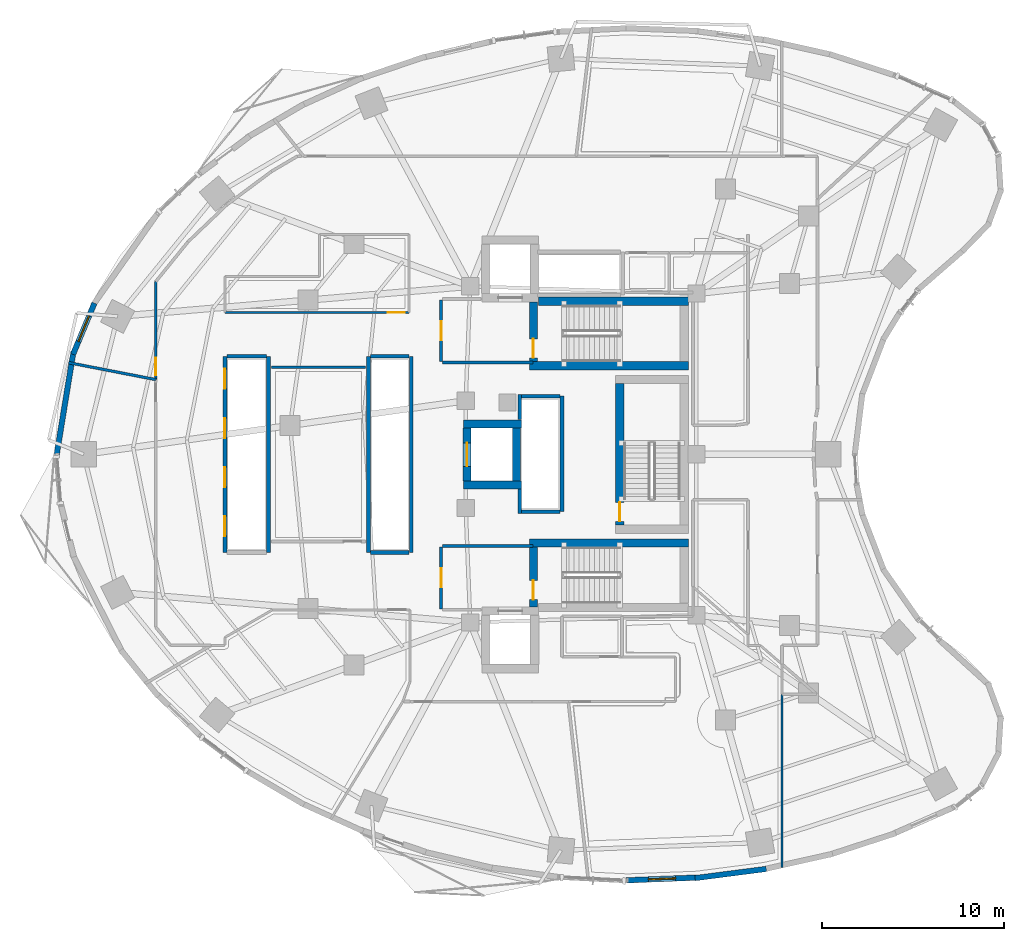
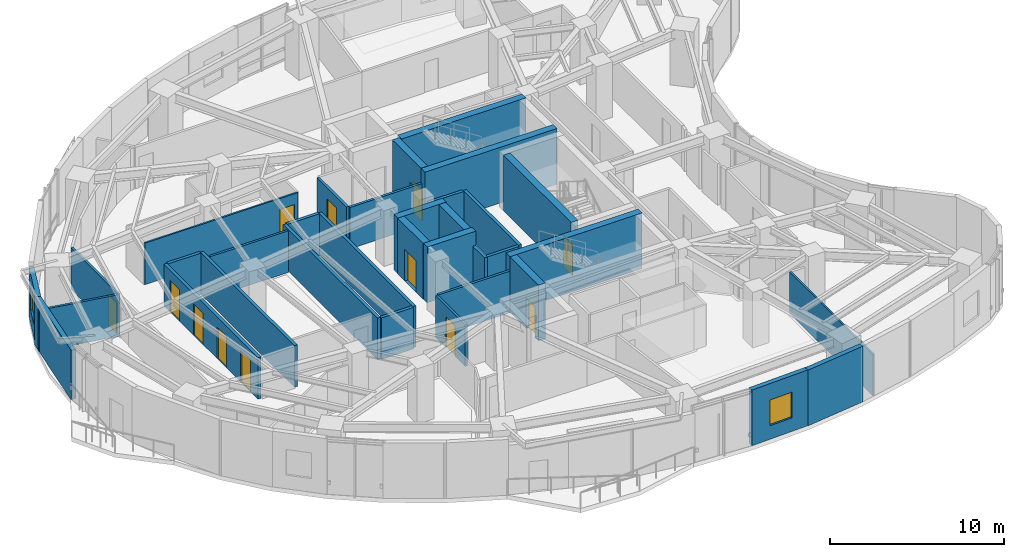
# One storey, part 9 of 15: 35 walls, 12 doors, 2 windows, 14 openings.
"""IFC4 building model written with IfcOpenShell, lengths in metres."""

from ifc_helpers import new_model, si_unit, direction, frame, frame_2d, origin, place, context, subcontext, project, spatial, rectangle, extrude, material, layer, layer_set, type_object, element, fill, save


model = new_model("IFC4")

# Units and contexts
model_context = context("Model", 3, precision=1e-05, world=origin(), true_north=direction((0.0, 1.0)))
body_context = subcontext(model_context, "Body", "Model", "MODEL_VIEW")
ifc_project = project(units=[si_unit("LENGTHUNIT", "METRE"), si_unit("AREAUNIT", "SQUARE_METRE"), si_unit("VOLUMEUNIT", "CUBIC_METRE"), si_unit("PLANEANGLEUNIT", "RADIAN"), si_unit("MASSUNIT", "GRAM", prefix="KILO")], contexts=[model_context])

# Site, building, storey
site_placement = place(None, origin())
site = spatial("IfcSite", under=ifc_project, at=site_placement, CompositionType="ELEMENT")
building_placement = place(site_placement, origin())
building = spatial("IfcBuilding", under=site, at=building_placement, Name="Korentha Bioscience Tower", CompositionType="ELEMENT")
storey_placement = place(building_placement, frame((0.0, 0.0, 72.0)))
storey = spatial("IfcBuildingStorey", under=building, at=storey_placement, Name="L16", CompositionType="ELEMENT", Elevation=72.0)

# Wall, opening, door
ifc_material_1 = material(Name="Double-Stud Acoustic Gypsum", Category="gypsum")
ifc_layer_1 = layer(ifc_material_1, 0.14990234375, Name="Double-Stud Acoustic Gypsum")
ifc_layer_set_1 = layer_set([ifc_layer_1], Name="Double-Stud Acoustic Gypsum (IW-L150)")
wall_type_1 = type_object("IfcWallType", Name="Acoustic Laboratory Partition Wall 150", PredefinedType="PARTITIONING", material=ifc_layer_set_1)
wall_1_placement = place(storey_placement, frame((7.7900390625, 36.501220703125, 0.0), z_axis=(0.0, 0.0, 1.0), x_axis=(0.0, -1.0, 0.0)))
wall_1 = element("IfcWall", 1, at=wall_1_placement, inside=storey, type_object=wall_type_1, Name="L16 Senior Scientist Corner Office 14 Entrance Wall", PredefinedType="PARTITIONING", context=body_context, shape_type="SweptSolid", body=[
    extrude(rectangle(XDim=5.37548828125, YDim=0.14990234375, at=frame_2d((2.687744140625, 0.0))), origin(), (0.0, 0.0, 1.0), 2.909912109375),
])
opening_1_placement = place(wall_1_placement, frame((4.185302734375, 0.0, 0.0)))
opening_1 = element("IfcOpeningElement", 2, at=opening_1_placement, cuts=wall_1, Name="Opening ID-10R", PredefinedType="OPENING", context=body_context, shape_type="SweptSolid", body=[
    extrude(rectangle(XDim=0.949951171875, YDim=2.14990234375, at=frame_2d((0.47509765625, 1.074951171875))), frame((0.0, 0.08984375, 0.0), z_axis=(0.0, -1.0, 0.0), x_axis=(1.0, 0.0, 0.0)), (0.0, 0.0, 1.0), 0.1796875),
])
ifc_material_2 = material(Name="Phenolic Laminate Timber Core", Category="wood")
door_type_1 = type_object("IfcDoorType", Name="Laboratory Single Leaf Door 950x2150 Right", OperationType="SINGLE_SWING_RIGHT", PredefinedType="DOOR", material=ifc_material_2)
door_1_placement = place(opening_1_placement, origin())
door_1 = element("IfcDoor", 3, at=door_1_placement, inside=storey, type_object=door_type_1, Name="L16 Senior Scientist Corner Office 14 Door", OperationType="SINGLE_SWING_RIGHT", OverallHeight=2.14990234375, OverallWidth=0.949951171875, PredefinedType="DOOR", context=body_context, shape_type="SweptSolid", body=[
    extrude(rectangle(XDim=0.949951171875, YDim=2.14990234375, at=frame_2d((0.47509765625, 1.074951171875))), frame((0.0, 0.02490234375, 0.0), z_axis=(0.0, -1.0, 0.0), x_axis=(1.0, 0.0, 0.0)), (0.0, 0.0, 1.0), 0.050048828125),
])
fill(opening_1, door_1)

# Walls
wall_2_placement = place(storey_placement, frame((14.159912109375, 31.7900390625, 0.0), z_axis=(0.0, 0.0, 1.0), x_axis=(1.0, 0.0, 0.0)))
element("IfcWall", 4, at=wall_2_placement, inside=storey, type_object=wall_type_1, Name="L16 Interior Partition 022", PredefinedType="PARTITIONING", context=body_context, shape_type="SweptSolid", body=[
    extrude(rectangle(XDim=5.18017578125, YDim=0.14990234375, at=frame_2d((2.590087890625, 0.0))), origin(), (0.0, 0.0, 1.0), 2.909912109375),
])
wall_3_placement = place(storey_placement, frame((2.9951171875, 32.047607421875, 0.0), z_axis=(0.0, 0.0, 1.0), x_axis=(0.981623712682, -0.190826850052, 0.0)))
element("IfcWall", 5, at=wall_3_placement, inside=storey, type_object=wall_type_1, Name="L16 Interior Partition 023", PredefinedType="PARTITIONING", context=body_context, shape_type="SweptSolid", body=[
    extrude(rectangle(XDim=4.884765625, YDim=0.14990234375, at=frame_2d((2.4423828125, 0.0))), origin(), (0.0, 0.0, 1.0), 2.909912109375),
])

# Wall, opening, door
ifc_material_3 = material(Name="Fire-Rated Framed Glass", Category="glass")
ifc_layer_2 = layer(ifc_material_3, 0.110107421875, Name="Fire-Rated Framed Glass")
ifc_layer_set_2 = layer_set([ifc_layer_2], Name="Fire-Rated Framed Glass (IW-G110)")
wall_type_2 = type_object("IfcWallType", Name="Demountable Glazed Office Partition 110", PredefinedType="MOVABLE", material=ifc_layer_set_2)
wall_4_placement = place(storey_placement, frame((21.739990234375, 34.81005859375, 0.0), z_axis=(0.0, 0.0, 1.0), x_axis=(-1.0, 0.0, 0.0)))
wall_4 = element("IfcWall", 6, at=wall_4_placement, inside=storey, type_object=wall_type_2, Name="L16 Epidemiology Modelling Studio 13 Entrance Wall", PredefinedType="MOVABLE", context=body_context, shape_type="SweptSolid", body=[
    extrude(rectangle(XDim=10.14990234375, YDim=0.110107421875, at=frame_2d((5.074951171875, 0.0))), origin(), (0.0, 0.0, 1.0), 2.909912109375),
])
opening_2_placement = place(wall_4_placement, frame((0.239990234375, 0.0, 0.0)))
opening_2 = element("IfcOpeningElement", 7, at=opening_2_placement, cuts=wall_4, Name="Opening ID-10L", PredefinedType="OPENING", context=body_context, shape_type="SweptSolid", body=[
    extrude(rectangle(XDim=0.949951171875, YDim=2.14990234375, at=frame_2d((0.47509765625, 1.074951171875))), frame((0.0, 0.06982421875, 0.0), z_axis=(0.0, -1.0, 0.0), x_axis=(1.0, 0.0, 0.0)), (0.0, 0.0, 1.0), 0.139892578125),
])
door_type_2 = type_object("IfcDoorType", Name="Laboratory Single Leaf Door 950x2150 Left", OperationType="SINGLE_SWING_LEFT", PredefinedType="DOOR", material=ifc_material_2)
door_2_placement = place(opening_2_placement, origin())
door_2 = element("IfcDoor", 8, at=door_2_placement, inside=storey, type_object=door_type_2, Name="L16 Epidemiology Modelling Studio 13 Door", OperationType="SINGLE_SWING_LEFT", OverallHeight=2.14990234375, OverallWidth=0.949951171875, PredefinedType="DOOR", context=body_context, shape_type="SweptSolid", body=[
    extrude(rectangle(XDim=0.949951171875, YDim=2.14990234375, at=frame_2d((0.47509765625, 1.074951171875))), frame((0.0, 0.02490234375, 0.0), z_axis=(0.0, -1.0, 0.0), x_axis=(1.0, 0.0, 0.0)), (0.0, 0.0, 1.0), 0.050048828125),
])
fill(opening_2, door_2)

# Wall
wall_5_placement = place(storey_placement, frame((42.248046875, 13.7978515625, 0.0), z_axis=(0.0, 0.0, 1.0), x_axis=(0.0, -1.0, 0.0)))
element("IfcWall", 9, at=wall_5_placement, inside=storey, type_object=wall_type_2, Name="L16 Interior Partition 041", PredefinedType="MOVABLE", context=body_context, shape_type="SweptSolid", body=[
    extrude(rectangle(XDim=9.530029296875, YDim=0.110107421875, at=frame_2d((4.76513671875, 0.0))), origin(), (0.0, 0.0, 1.0), 2.909912109375),
])

# Wall, opening, door
ifc_material_4 = material(Name="Gypsum-Clad Steel Stud", Category="steel")
ifc_layer_3 = layer(ifc_material_4, 0.159912109375, Name="Gypsum-Clad Steel Stud")
ifc_layer_set_3 = layer_set([ifc_layer_3], Name="Gypsum-Clad Steel Stud (IW-C160)")
wall_type_3 = type_object("IfcWallType", Name="Fire-Rated Corridor Partition Wall 160", PredefinedType="PARTITIONING", material=ifc_layer_set_3)
wall_6_placement = place(storey_placement, frame((23.5, 32.10009765625, 0.0), z_axis=(0.0, 0.0, 1.0), x_axis=(0.0, 1.0, 0.0)))
wall_6 = element("IfcWall", 10, at=wall_6_placement, inside=storey, type_object=wall_type_3, Name="L16 FFLN-CW Rated Enclosure Wall", PredefinedType="PARTITIONING", context=body_context, shape_type="SweptSolid", body=[
    extrude(rectangle(XDim=3.39990234375, YDim=0.159912109375, at=frame_2d((1.699951171875, 0.0))), origin(), (0.0, 0.0, 1.0), 2.909912109375),
])
opening_3_placement = place(wall_6_placement, frame((1.175048828125, 0.0, 0.0)))
opening_3 = element("IfcOpeningElement", 11, at=opening_3_placement, cuts=wall_6, Name="Opening FD-90L", PredefinedType="OPENING", context=body_context, shape_type="SweptSolid", body=[
    extrude(rectangle(XDim=1.050048828125, YDim=2.14990234375, at=frame_2d((0.52490234375, 1.074951171875))), frame((0.0, 0.0947265625, 0.0), z_axis=(0.0, -1.0, 0.0), x_axis=(1.0, 0.0, 0.0)), (0.0, 0.0, 1.0), 0.189697265625),
])
ifc_material_5 = material(Name="Powder-Coated Fire-Rated Steel", Category="steel")
door_type_3 = type_object("IfcDoorType", Name="Stairwell Fire Exit Door 1050x2150 Left", OperationType="SINGLE_SWING_LEFT", PredefinedType="DOOR", material=ifc_material_5)
door_3_placement = place(opening_3_placement, origin())
door_3 = element("IfcDoor", 12, at=door_3_placement, inside=storey, type_object=door_type_3, Name="L16 North Firefighting Lobby Door", OperationType="SINGLE_SWING_LEFT", OverallHeight=2.14990234375, OverallWidth=1.050048828125, PredefinedType="DOOR", context=body_context, shape_type="SweptSolid", body=[
    extrude(rectangle(XDim=1.050048828125, YDim=2.14990234375, at=frame_2d((0.52490234375, 1.074951171875))), frame((0.0, 0.02490234375, 0.0), z_axis=(0.0, -1.0, 0.0), x_axis=(1.0, 0.0, 0.0)), (0.0, 0.0, 1.0), 0.050048828125),
])
fill(opening_3, door_3)

wall_7_placement = place(storey_placement, frame((23.5, 18.5, 0.0), z_axis=(0.0, 0.0, 1.0), x_axis=(0.0, 1.0, 0.0)))
wall_7 = element("IfcWall", 13, at=wall_7_placement, inside=storey, type_object=wall_type_3, Name="L16 FFLS-CW Rated Enclosure Wall", PredefinedType="PARTITIONING", context=body_context, shape_type="SweptSolid", body=[
    extrude(rectangle(XDim=3.39990234375, YDim=0.159912109375, at=frame_2d((1.699951171875, 0.0))), origin(), (0.0, 0.0, 1.0), 2.909912109375),
])
opening_4_placement = place(wall_7_placement, frame((1.175048828125, 0.0, 0.0)))
opening_4 = element("IfcOpeningElement", 14, at=opening_4_placement, cuts=wall_7, Name="Opening FD-90L", PredefinedType="OPENING", context=body_context, shape_type="SweptSolid", body=[
    extrude(rectangle(XDim=1.050048828125, YDim=2.14990234375, at=frame_2d((0.52490234375, 1.074951171875))), frame((0.0, 0.0947265625, 0.0), z_axis=(0.0, -1.0, 0.0), x_axis=(1.0, 0.0, 0.0)), (0.0, 0.0, 1.0), 0.189697265625),
])
door_4_placement = place(opening_4_placement, origin())
door_4 = element("IfcDoor", 15, at=door_4_placement, inside=storey, type_object=door_type_3, Name="L16 South Firefighting Lobby Door", OperationType="SINGLE_SWING_LEFT", OverallHeight=2.14990234375, OverallWidth=1.050048828125, PredefinedType="DOOR", context=body_context, shape_type="SweptSolid", body=[
    extrude(rectangle(XDim=1.050048828125, YDim=2.14990234375, at=frame_2d((0.52490234375, 1.074951171875))), frame((0.0, 0.02490234375, 0.0), z_axis=(0.0, -1.0, 0.0), x_axis=(1.0, 0.0, 0.0)), (0.0, 0.0, 1.0), 0.050048828125),
])
fill(opening_4, door_4)

# Walls
for number, where, z_axis, x_axis, name in (
    (16, (23.580078125, 32.050048828125, 0.0), (0.0, 0.0, 1.0), (1.0, 0.0, 0.0), "L16 Firefighting Lobby Return Wall FFLN-S"),
    (17, (23.580078125, 21.949951171875, 0.0), (0.0, 0.0, 1.0), (1.0, 0.0, 0.0), "L16 Firefighting Lobby Return Wall FFLS-N"),
):
    element("IfcWall", number, at=place(storey_placement, frame(where, z_axis=z_axis, x_axis=x_axis)), inside=storey, type_object=wall_type_3, Name=name, PredefinedType="PARTITIONING", context=body_context, shape_type="SweptSolid", body=[
        extrude(rectangle(XDim=4.969970703125, YDim=0.159912109375, at=frame_2d((2.48486328125, 0.0))), origin(), (0.0, 0.0, 1.0), 2.909912109375),
    ])

# Wall, opening, window
ifc_material_6 = material(Name="Honed Limestone Precast Concrete C40", Category="masonry")
ifc_layer_4 = layer(ifc_material_6, 0.300048828125, Name="Honed Limestone Precast Concrete C40")
ifc_layer_set_4 = layer_set([ifc_layer_4], Name="Honed Limestone Precast Concrete C40 (EW-ST300)")
wall_type_4 = type_object("IfcWallType", Name="Honed Limestone Cavity Spandrel Wall 300", PredefinedType="STANDARD", material=ifc_layer_set_4)
wall_8_placement = place(storey_placement, frame((4.4169921875, 35.322998046875, 0.0), z_axis=(0.0, 0.0, 1.0), x_axis=(-0.385358473275, -0.92276695166, 0.0)))
wall_8 = element("IfcWall", 18, at=wall_8_placement, inside=storey, type_object=wall_type_4, Name="L16 Honed Limestone Spandrel Wall 16", PredefinedType="STANDARD", context=body_context, shape_type="SweptSolid", body=[
    extrude(rectangle(XDim=3.0556640625, YDim=0.300048828125, at=frame_2d((1.52783203125, 0.0))), origin(), (0.0, 0.0, 1.0), 3.469970703125),
])
opening_5_placement = place(wall_8_placement, frame((0.777587890625, 0.0, 0.949951171875)))
opening_5 = element("IfcOpeningElement", 19, at=opening_5_placement, cuts=wall_8, Name="Opening WN-02", PredefinedType="OPENING", context=body_context, shape_type="SweptSolid", body=[
    extrude(rectangle(XDim=1.5, YDim=1.800048828125, at=frame_2d((0.75, 0.89990234375))), frame((0.0, 0.1650390625, 0.0), z_axis=(0.0, -1.0, 0.0), x_axis=(1.0, 0.0, 0.0)), (0.0, 0.0, 1.0), 0.329833984375),
])
ifc_material_7 = material(Name="Thermally Broken Aluminium Triple Glazing", Category="aluminium")
window_type = type_object("IfcWindowType", Name="Acoustic Operable Office Window 1500x1800", PartitioningType="DOUBLE_PANEL_VERTICAL", PredefinedType="WINDOW", material=ifc_material_7)
window_1_placement = place(opening_5_placement, origin())
window_1 = element("IfcWindow", 20, at=window_1_placement, inside=storey, type_object=window_type, Name="L16 Facade Window 16", OverallHeight=1.800048828125, OverallWidth=1.5, PartitioningType="DOUBLE_PANEL_VERTICAL", PredefinedType="WINDOW", context=body_context, shape_type="SweptSolid", body=[
    extrude(rectangle(XDim=1.5, YDim=1.800048828125, at=frame_2d((0.75, 0.89990234375))), frame((0.0, 0.030029296875, 0.0), z_axis=(0.0, -1.0, 0.0), x_axis=(1.0, 0.0, 0.0)), (0.0, 0.0, 1.0), 0.06005859375),
])
fill(opening_5, window_1)

wall_9_placement = place(storey_placement, frame((33.68701171875, 3.558349609375, 0.0), z_axis=(0.0, 0.0, 1.0), x_axis=(0.999247008469, 0.038799691558, 0.0)))
wall_9 = element("IfcWall", 21, at=wall_9_placement, inside=storey, type_object=wall_type_4, Name="L16 Honed Limestone Spandrel Wall 32", PredefinedType="STANDARD", context=body_context, shape_type="SweptSolid", body=[
    extrude(rectangle(XDim=3.93896484375, YDim=0.300048828125, at=frame_2d((1.969482421875, 0.0))), origin(), (0.0, 0.0, 1.0), 3.89990234375),
])
opening_6_placement = place(wall_9_placement, frame((1.219482421875, 0.0, 0.949951171875)))
opening_6 = element("IfcOpeningElement", 22, at=opening_6_placement, cuts=wall_9, Name="Opening WN-02", PredefinedType="OPENING", context=body_context, shape_type="SweptSolid", body=[
    extrude(rectangle(XDim=1.5, YDim=1.800048828125, at=frame_2d((0.75, 0.89990234375))), frame((0.0, 0.1650390625, 0.0), z_axis=(0.0, -1.0, 0.0), x_axis=(1.0, 0.0, 0.0)), (0.0, 0.0, 1.0), 0.329833984375),
])
window_2_placement = place(opening_6_placement, origin())
window_2 = element("IfcWindow", 23, at=window_2_placement, inside=storey, type_object=window_type, Name="L16 Facade Window 32", OverallHeight=1.800048828125, OverallWidth=1.5, PartitioningType="DOUBLE_PANEL_VERTICAL", PredefinedType="WINDOW", context=body_context, shape_type="SweptSolid", body=[
    extrude(rectangle(XDim=1.5, YDim=1.800048828125, at=frame_2d((0.75, 0.89990234375))), frame((0.0, 0.030029296875, 0.0), z_axis=(0.0, -1.0, 0.0), x_axis=(1.0, 0.0, 0.0)), (0.0, 0.0, 1.0), 0.06005859375),
])
fill(opening_6, window_2)

# Walls
wall_10_placement = place(storey_placement, frame((3.26611328125, 32.677001953125, 0.0), z_axis=(0.0, 0.0, 1.0), x_axis=(-0.160712446639, -0.987001271273, 0.0)))
element("IfcWall", 24, at=wall_10_placement, inside=storey, type_object=wall_type_4, Name="L16 Limestone Perimeter Closure Wall 17", PredefinedType="STANDARD", context=body_context, shape_type="SweptSolid", body=[
    extrude(rectangle(XDim=5.854736328125, YDim=0.300048828125, at=frame_2d((2.92724609375, 0.0))), origin(), (0.0, 0.0, 1.0), 3.469970703125),
])
wall_11_placement = place(storey_placement, frame((37.471923828125, 3.677734375, 0.0), z_axis=(0.0, 0.0, 1.0), x_axis=(0.991734095036, 0.128310111617, 0.0)))
element("IfcWall", 25, at=wall_11_placement, inside=storey, type_object=wall_type_4, Name="L16 Limestone Perimeter Closure Wall 33", PredefinedType="STANDARD", context=body_context, shape_type="SweptSolid", body=[
    extrude(rectangle(XDim=3.955810546875, YDim=0.300048828125, at=frame_2d((1.97802734375, 0.0))), origin(), (0.0, 0.0, 1.0), 3.89990234375),
])

# Wall, openings, doors
ifc_material_8 = material(Name="Autoclaved Aerated Concrete Block C25", Category="concrete")
ifc_layer_5 = layer(ifc_material_8, 0.199951171875, Name="Autoclaved Aerated Concrete Block C25")
ifc_layer_set_5 = layer_set([ifc_layer_5], Name="Autoclaved Aerated Concrete Block C25 (IW-S200)")
wall_type_5 = type_object("IfcWallType", Name="Lift and Riser Shaft Enclosure Wall 200", PredefinedType="PARTITIONING", material=ifc_layer_set_5)
wall_12_placement = place(storey_placement, frame((11.60009765625, 21.60009765625, 0.0), z_axis=(0.0, 0.0, 1.0), x_axis=(0.0, 1.0, 0.0)))
wall_12 = element("IfcWall", 26, at=wall_12_placement, inside=storey, type_object=wall_type_5, Name="L16 Lift Bank LOW Shaft Wall -X", PredefinedType="PARTITIONING", context=body_context, shape_type="SweptSolid", body=[
    extrude(rectangle(XDim=10.7998046875, YDim=0.199951171875, at=frame_2d((5.39990234375, 0.0))), origin(), (0.0, 0.0, 1.0), 2.909912109375),
])
opening_7_placement = place(wall_12_placement, frame((0.89990234375, 0.0, 0.0)))
opening_7 = element("IfcOpeningElement", 27, at=opening_7_placement, cuts=wall_12, Name="Opening LD-11", PredefinedType="OPENING", context=body_context, shape_type="SweptSolid", body=[
    extrude(rectangle(XDim=1.10009765625, YDim=2.199951171875, at=frame_2d((0.550048828125, 1.10009765625))), frame((0.0, 0.11474609375, 0.0), z_axis=(0.0, -1.0, 0.0), x_axis=(1.0, 0.0, 0.0)), (0.0, 0.0, 1.0), 0.229736328125),
])
opening_8_placement = place(wall_12_placement, frame((3.60009765625, 0.0, 0.0)))
opening_8 = element("IfcOpeningElement", 28, at=opening_8_placement, cuts=wall_12, Name="Opening LD-11", PredefinedType="OPENING", context=body_context, shape_type="SweptSolid", body=[
    extrude(rectangle(XDim=1.10009765625, YDim=2.199951171875, at=frame_2d((0.550048828125, 1.10009765625))), frame((0.0, 0.11474609375, 0.0), z_axis=(0.0, -1.0, 0.0), x_axis=(1.0, 0.0, 0.0)), (0.0, 0.0, 1.0), 0.229736328125),
])
opening_9_placement = place(wall_12_placement, frame((6.300048828125, 0.0, 0.0)))
opening_9 = element("IfcOpeningElement", 29, at=opening_9_placement, cuts=wall_12, Name="Opening LD-11", PredefinedType="OPENING", context=body_context, shape_type="SweptSolid", body=[
    extrude(rectangle(XDim=1.10009765625, YDim=2.199951171875, at=frame_2d((0.550048828125, 1.10009765625))), frame((0.0, 0.11474609375, 0.0), z_axis=(0.0, -1.0, 0.0), x_axis=(1.0, 0.0, 0.0)), (0.0, 0.0, 1.0), 0.229736328125),
])
opening_10_placement = place(wall_12_placement, frame((9.0, 0.0, 0.0)))
opening_10 = element("IfcOpeningElement", 30, at=opening_10_placement, cuts=wall_12, Name="Opening LD-11", PredefinedType="OPENING", context=body_context, shape_type="SweptSolid", body=[
    extrude(rectangle(XDim=1.10009765625, YDim=2.199951171875, at=frame_2d((0.550048828125, 1.10009765625))), frame((0.0, 0.11474609375, 0.0), z_axis=(0.0, -1.0, 0.0), x_axis=(1.0, 0.0, 0.0)), (0.0, 0.0, 1.0), 0.229736328125),
])
ifc_material_9 = material(Name="Brushed Stainless Steel 304", Category="steel")
door_type_4 = type_object("IfcDoorType", Name="Passenger Lift Sliding Landing Door 1100x2200", OperationType="DOUBLE_DOOR_SLIDING", PredefinedType="DOOR", material=ifc_material_9)
door_5_placement = place(opening_7_placement, origin())
door_5 = element("IfcDoor", 31, at=door_5_placement, inside=storey, type_object=door_type_4, Name="L16 PL-L1 Sliding Lift Landing Door", OperationType="DOUBLE_DOOR_SLIDING", OverallHeight=2.199951171875, OverallWidth=1.10009765625, PredefinedType="DOOR", context=body_context, shape_type="SweptSolid", body=[
    extrude(rectangle(XDim=1.10009765625, YDim=2.199951171875, at=frame_2d((0.550048828125, 1.10009765625))), frame((0.0, 0.02490234375, 0.0), z_axis=(0.0, -1.0, 0.0), x_axis=(1.0, 0.0, 0.0)), (0.0, 0.0, 1.0), 0.050048828125),
])
fill(opening_7, door_5)
door_6_placement = place(opening_8_placement, origin())
door_6 = element("IfcDoor", 32, at=door_6_placement, inside=storey, type_object=door_type_4, Name="L16 PL-L2 Sliding Lift Landing Door", OperationType="DOUBLE_DOOR_SLIDING", OverallHeight=2.199951171875, OverallWidth=1.10009765625, PredefinedType="DOOR", context=body_context, shape_type="SweptSolid", body=[
    extrude(rectangle(XDim=1.10009765625, YDim=2.199951171875, at=frame_2d((0.550048828125, 1.10009765625))), frame((0.0, 0.02490234375, 0.0), z_axis=(0.0, -1.0, 0.0), x_axis=(1.0, 0.0, 0.0)), (0.0, 0.0, 1.0), 0.050048828125),
])
fill(opening_8, door_6)
door_7_placement = place(opening_9_placement, origin())
door_7 = element("IfcDoor", 33, at=door_7_placement, inside=storey, type_object=door_type_4, Name="L16 PL-L3 Sliding Lift Landing Door", OperationType="DOUBLE_DOOR_SLIDING", OverallHeight=2.199951171875, OverallWidth=1.10009765625, PredefinedType="DOOR", context=body_context, shape_type="SweptSolid", body=[
    extrude(rectangle(XDim=1.10009765625, YDim=2.199951171875, at=frame_2d((0.550048828125, 1.10009765625))), frame((0.0, 0.02490234375, 0.0), z_axis=(0.0, -1.0, 0.0), x_axis=(1.0, 0.0, 0.0)), (0.0, 0.0, 1.0), 0.050048828125),
])
fill(opening_9, door_7)
door_8_placement = place(opening_10_placement, origin())
door_8 = element("IfcDoor", 34, at=door_8_placement, inside=storey, type_object=door_type_4, Name="L16 PL-L4 Sliding Lift Landing Door", OperationType="DOUBLE_DOOR_SLIDING", OverallHeight=2.199951171875, OverallWidth=1.10009765625, PredefinedType="DOOR", context=body_context, shape_type="SweptSolid", body=[
    extrude(rectangle(XDim=1.10009765625, YDim=2.199951171875, at=frame_2d((0.550048828125, 1.10009765625))), frame((0.0, 0.02490234375, 0.0), z_axis=(0.0, -1.0, 0.0), x_axis=(1.0, 0.0, 0.0)), (0.0, 0.0, 1.0), 0.050048828125),
])
fill(opening_10, door_8)

# Walls
wall_13_placement = place(storey_placement, frame((14.0, 21.60009765625, 0.0), z_axis=(0.0, 0.0, 1.0), x_axis=(0.0, 1.0, 0.0)))
element("IfcWall", 35, at=wall_13_placement, inside=storey, type_object=wall_type_5, Name="L16 Lift Bank LOW Shaft Wall +X", PredefinedType="PARTITIONING", context=body_context, shape_type="SweptSolid", body=[
    extrude(rectangle(XDim=10.7998046875, YDim=0.199951171875, at=frame_2d((5.39990234375, 0.0))), origin(), (0.0, 0.0, 1.0), 2.909912109375),
])
wall_14_placement = place(storey_placement, frame((11.719970703125, 32.39990234375, 0.0), z_axis=(0.0, 0.0, 1.0), x_axis=(1.0, 0.0, 0.0)))
element("IfcWall", 36, at=wall_14_placement, inside=storey, type_object=wall_type_5, Name="L16 Lift Bank LOW Shaft Wall +Y", PredefinedType="PARTITIONING", context=body_context, shape_type="SweptSolid", body=[
    extrude(rectangle(XDim=2.159912109375, YDim=0.199951171875, at=frame_2d((1.080078125, 0.0))), origin(), (0.0, 0.0, 1.0), 2.909912109375),
])
for number, where, z_axis, x_axis, name in (
    (37, (19.5, 21.60009765625, 0.0), (0.0, 0.0, 1.0), (0.0, 1.0, 0.0), "L16 Lift Bank MID Shaft Wall -X"),
    (38, (21.85009765625, 21.60009765625, 0.0), (0.0, 0.0, 1.0), (0.0, 1.0, 0.0), "L16 Lift Bank MID Shaft Wall +X"),
):
    element("IfcWall", number, at=place(storey_placement, frame(where, z_axis=z_axis, x_axis=x_axis)), inside=storey, type_object=wall_type_5, Name=name, PredefinedType="PARTITIONING", context=body_context, shape_type="SweptSolid", body=[
        extrude(rectangle(XDim=10.7998046875, YDim=0.199951171875, at=frame_2d((5.39990234375, 0.0))), origin(), (0.0, 0.0, 1.0), 2.909912109375),
    ])
for number, where, z_axis, x_axis, name in (
    (39, (19.6201171875, 21.60009765625, 0.0), (0.0, 0.0, 1.0), (1.0, 0.0, 0.0), "L16 Lift Bank MID Shaft Wall -Y"),
    (40, (19.6201171875, 32.39990234375, 0.0), (0.0, 0.0, 1.0), (1.0, 0.0, 0.0), "L16 Lift Bank MID Shaft Wall +Y"),
):
    element("IfcWall", number, at=place(storey_placement, frame(where, z_axis=z_axis, x_axis=x_axis)), inside=storey, type_object=wall_type_5, Name=name, PredefinedType="PARTITIONING", context=body_context, shape_type="SweptSolid", body=[
        extrude(rectangle(XDim=2.10986328125, YDim=0.199951171875, at=frame_2d((1.054931640625, 0.0))), origin(), (0.0, 0.0, 1.0), 2.909912109375),
    ])
wall_15_placement = place(storey_placement, frame((27.830078125, 23.75, 0.0), z_axis=(0.0, 0.0, 1.0), x_axis=(0.0, 1.0, 0.0)))
element("IfcWall", 41, at=wall_15_placement, inside=storey, type_object=wall_type_5, Name="L16 Lift Bank HIGH Shaft Wall -XS", PredefinedType="PARTITIONING", context=body_context, shape_type="SweptSolid", body=[
    extrude(rectangle(XDim=1.341064453125, YDim=0.199951171875, at=frame_2d((0.67041015625, 0.0))), origin(), (0.0, 0.0, 1.0), 2.909912109375),
])
wall_16_placement = place(storey_placement, frame((27.830078125, 28.908935546875, 0.0), z_axis=(0.0, 0.0, 1.0), x_axis=(0.0, 1.0, 0.0)))
element("IfcWall", 42, at=wall_16_placement, inside=storey, type_object=wall_type_5, Name="L16 Lift Bank HIGH Shaft Wall -XN", PredefinedType="PARTITIONING", context=body_context, shape_type="SweptSolid", body=[
    extrude(rectangle(XDim=1.39111328125, YDim=0.199951171875, at=frame_2d((0.695556640625, 0.0))), origin(), (0.0, 0.0, 1.0), 2.909912109375),
])
wall_17_placement = place(storey_placement, frame((30.14990234375, 23.85009765625, 0.0), z_axis=(0.0, 0.0, 1.0), x_axis=(0.0, 1.0, 0.0)))
element("IfcWall", 43, at=wall_17_placement, inside=storey, type_object=wall_type_5, Name="L16 Lift Bank HIGH Shaft Wall +X", PredefinedType="PARTITIONING", context=body_context, shape_type="SweptSolid", body=[
    extrude(rectangle(XDim=6.349853515625, YDim=0.199951171875, at=frame_2d((3.1748046875, 0.0))), origin(), (0.0, 0.0, 1.0), 2.909912109375),
])
for number, where, z_axis, x_axis, name in (
    (44, (27.93408203125, 23.85009765625, 0.0), (0.0, 0.0, 1.0), (1.0, 0.0, 0.0), "L16 Lift Bank HIGH Shaft Wall -Y"),
    (45, (27.93408203125, 30.199951171875, 0.0), (0.0, 0.0, 1.0), (1.0, 0.0, 0.0), "L16 Lift Bank HIGH Shaft Wall +Y"),
):
    element("IfcWall", number, at=place(storey_placement, frame(where, z_axis=z_axis, x_axis=x_axis)), inside=storey, type_object=wall_type_5, Name=name, PredefinedType="PARTITIONING", context=body_context, shape_type="SweptSolid", body=[
        extrude(rectangle(XDim=2.095947265625, YDim=0.199951171875, at=frame_2d((1.0478515625, 0.0))), origin(), (0.0, 0.0, 1.0), 2.909912109375),
    ])
ifc_material_10 = material(Name="Concrete C80", Category="concrete")
ifc_layer_6 = layer(ifc_material_10, 0.449951171875, Name="Concrete C80")
ifc_layer_set_6 = layer_set([ifc_layer_6], Name="Concrete C80 (CW-C80)")
wall_type_6 = type_object("IfcWallType", Name="Lower Core Shear Wall 450", PredefinedType="SHEAR", material=ifc_layer_set_6)
wall_18_placement = place(storey_placement, frame((28.85205078125, 35.425048828125, 0.0), z_axis=(0.0, 0.0, 1.0), x_axis=(1.0, 0.0, 0.0)))
element("IfcWall", 46, at=wall_18_placement, inside=storey, type_object=wall_type_6, Name="L16 Core Shear Wall ST1-N", PredefinedType="SHEAR", context=body_context, shape_type="SweptSolid", body=[
    extrude(rectangle(XDim=8.248046875, YDim=0.449951171875, at=frame_2d((4.1240234375, 0.0))), origin(), (0.0, 0.0, 1.0), 3.89990234375),
])
wall_19_placement = place(storey_placement, frame((28.35009765625, 31.875, 0.0), z_axis=(0.0, 0.0, 1.0), x_axis=(1.0, 0.0, 0.0)))
element("IfcWall", 47, at=wall_19_placement, inside=storey, type_object=wall_type_6, Name="L16 Core Shear Wall ST1-S", PredefinedType="SHEAR", context=body_context, shape_type="SweptSolid", body=[
    extrude(rectangle(XDim=8.75, YDim=0.449951171875, at=frame_2d((4.375, 0.0))), origin(), (0.0, 0.0, 1.0), 3.89990234375),
])

# Wall, opening, door
wall_20_placement = place(storey_placement, frame((28.574951171875, 32.110107421875, 0.0), z_axis=(0.0, 0.0, 1.0), x_axis=(0.0, 1.0, 0.0)))
wall_20 = element("IfcWall", 48, at=wall_20_placement, inside=storey, type_object=wall_type_6, Name="L16 Core Shear Wall ST1-W", PredefinedType="SHEAR", context=body_context, shape_type="SweptSolid", body=[
    extrude(rectangle(XDim=3.282958984375, YDim=0.449951171875, at=frame_2d((1.6416015625, 0.0))), origin(), (0.0, 0.0, 1.0), 3.89990234375),
])
opening_11_placement = place(wall_20_placement, frame((0.199951171875, 0.0, 0.0)))
opening_11 = element("IfcOpeningElement", 49, at=opening_11_placement, cuts=wall_20, Name="Opening FD-90L", PredefinedType="OPENING", context=body_context, shape_type="SweptSolid", body=[
    extrude(rectangle(XDim=1.050048828125, YDim=2.14990234375, at=frame_2d((0.52490234375, 1.074951171875))), frame((0.0, 0.23974609375, 0.0), z_axis=(0.0, -1.0, 0.0), x_axis=(1.0, 0.0, 0.0)), (0.0, 0.0, 1.0), 0.479736328125),
])
door_9_placement = place(opening_11_placement, origin())
door_9 = element("IfcDoor", 50, at=door_9_placement, inside=storey, type_object=door_type_3, Name="L16 ST-1 Fire Exit Stair Door", OperationType="SINGLE_SWING_LEFT", OverallHeight=2.14990234375, OverallWidth=1.050048828125, PredefinedType="DOOR", context=body_context, shape_type="SweptSolid", body=[
    extrude(rectangle(XDim=1.050048828125, YDim=2.14990234375, at=frame_2d((0.52490234375, 1.074951171875))), frame((0.0, 0.02490234375, 0.0), z_axis=(0.0, -1.0, 0.0), x_axis=(1.0, 0.0, 0.0)), (0.0, 0.0, 1.0), 0.050048828125),
])
fill(opening_11, door_9)

# Wall
wall_21_placement = place(storey_placement, frame((28.35009765625, 22.125, 0.0), z_axis=(0.0, 0.0, 1.0), x_axis=(1.0, 0.0, 0.0)))
element("IfcWall", 51, at=wall_21_placement, inside=storey, type_object=wall_type_6, Name="L16 Core Shear Wall ST2-N", PredefinedType="SHEAR", context=body_context, shape_type="SweptSolid", body=[
    extrude(rectangle(XDim=8.75, YDim=0.449951171875, at=frame_2d((4.375, 0.0))), origin(), (0.0, 0.0, 1.0), 3.89990234375),
])

# Wall, opening, door
wall_22_placement = place(storey_placement, frame((28.574951171875, 18.60693359375, 0.0), z_axis=(0.0, 0.0, 1.0), x_axis=(0.0, 1.0, 0.0)))
wall_22 = element("IfcWall", 52, at=wall_22_placement, inside=storey, type_object=wall_type_6, Name="L16 Core Shear Wall ST2-W", PredefinedType="SHEAR", context=body_context, shape_type="SweptSolid", body=[
    extrude(rectangle(XDim=3.282958984375, YDim=0.449951171875, at=frame_2d((1.6416015625, 0.0))), origin(), (0.0, 0.0, 1.0), 3.89990234375),
])
opening_12_placement = place(wall_22_placement, frame((0.403076171875, 0.0, 0.0)))
opening_12 = element("IfcOpeningElement", 53, at=opening_12_placement, cuts=wall_22, Name="Opening FD-90L", PredefinedType="OPENING", context=body_context, shape_type="SweptSolid", body=[
    extrude(rectangle(XDim=1.050048828125, YDim=2.14990234375, at=frame_2d((0.52490234375, 1.074951171875))), frame((0.0, 0.23974609375, 0.0), z_axis=(0.0, -1.0, 0.0), x_axis=(1.0, 0.0, 0.0)), (0.0, 0.0, 1.0), 0.479736328125),
])
door_10_placement = place(opening_12_placement, origin())
door_10 = element("IfcDoor", 54, at=door_10_placement, inside=storey, type_object=door_type_3, Name="L16 ST-2 Fire Exit Stair Door", OperationType="SINGLE_SWING_LEFT", OverallHeight=2.14990234375, OverallWidth=1.050048828125, PredefinedType="DOOR", context=body_context, shape_type="SweptSolid", body=[
    extrude(rectangle(XDim=1.050048828125, YDim=2.14990234375, at=frame_2d((0.52490234375, 1.074951171875))), frame((0.0, 0.02490234375, 0.0), z_axis=(0.0, -1.0, 0.0), x_axis=(1.0, 0.0, 0.0)), (0.0, 0.0, 1.0), 0.050048828125),
])
fill(opening_12, door_10)

wall_23_placement = place(storey_placement, frame((33.324951171875, 23.110107421875, 0.0), z_axis=(0.0, 0.0, 1.0), x_axis=(0.0, 1.0, 0.0)))
wall_23 = element("IfcWall", 55, at=wall_23_placement, inside=storey, type_object=wall_type_6, Name="L16 Core Shear Wall ST3-W", PredefinedType="SHEAR", context=body_context, shape_type="SweptSolid", body=[
    extrude(rectangle(XDim=7.77978515625, YDim=0.449951171875, at=frame_2d((3.889892578125, 0.0))), origin(), (0.0, 0.0, 1.0), 3.89990234375),
])
opening_13_placement = place(wall_23_placement, frame((0.199951171875, 0.0, 0.0)))
opening_13 = element("IfcOpeningElement", 56, at=opening_13_placement, cuts=wall_23, Name="Opening FD-90L", PredefinedType="OPENING", context=body_context, shape_type="SweptSolid", body=[
    extrude(rectangle(XDim=1.050048828125, YDim=2.14990234375, at=frame_2d((0.52490234375, 1.074951171875))), frame((0.0, 0.23974609375, 0.0), z_axis=(0.0, -1.0, 0.0), x_axis=(1.0, 0.0, 0.0)), (0.0, 0.0, 1.0), 0.479736328125),
])
door_11_placement = place(opening_13_placement, origin())
door_11 = element("IfcDoor", 57, at=door_11_placement, inside=storey, type_object=door_type_3, Name="L16 ST-3 Fire Exit Stair Door", OperationType="SINGLE_SWING_LEFT", OverallHeight=2.14990234375, OverallWidth=1.050048828125, PredefinedType="DOOR", context=body_context, shape_type="SweptSolid", body=[
    extrude(rectangle(XDim=1.050048828125, YDim=2.14990234375, at=frame_2d((0.52490234375, 1.074951171875))), frame((0.0, 0.02490234375, 0.0), z_axis=(0.0, -1.0, 0.0), x_axis=(1.0, 0.0, 0.0)), (0.0, 0.0, 1.0), 0.050048828125),
])
fill(opening_13, door_11)

# Walls
for number, where, z_axis, x_axis, name in (
    (58, (24.719970703125, 28.679931640625, 0.0), (0.0, 0.0, 1.0), (1.0, 0.0, 0.0), "L16 Core Shear Wall SVL1-N"),
    (59, (24.719970703125, 25.320068359375, 0.0), (0.0, 0.0, 1.0), (1.0, 0.0, 0.0), "L16 Core Shear Wall SVL1-S"),
):
    element("IfcWall", number, at=place(storey_placement, frame(where, z_axis=z_axis, x_axis=x_axis)), inside=storey, type_object=wall_type_6, Name=name, PredefinedType="SHEAR", context=body_context, shape_type="SweptSolid", body=[
        extrude(rectangle(XDim=3.2099609375, YDim=0.449951171875, at=frame_2d((1.60498046875, 0.0))), origin(), (0.0, 0.0, 1.0), 3.89990234375),
    ])

# Wall, opening, door
wall_24_placement = place(storey_placement, frame((24.919921875, 25.547119140625, 0.0), z_axis=(0.0, 0.0, 1.0), x_axis=(0.0, 1.0, 0.0)))
wall_24 = element("IfcWall", 60, at=wall_24_placement, inside=storey, type_object=wall_type_6, Name="L16 Core Shear Wall SVL1-W", PredefinedType="SHEAR", context=body_context, shape_type="SweptSolid", body=[
    extrude(rectangle(XDim=2.90576171875, YDim=0.449951171875, at=frame_2d((1.452880859375, 0.0))), origin(), (0.0, 0.0, 1.0), 3.89990234375),
])
opening_14_placement = place(wall_24_placement, frame((0.7900390625, 0.0, 0.0)))
opening_14 = element("IfcOpeningElement", 61, at=opening_14_placement, cuts=wall_24, Name="Opening LD-13", PredefinedType="OPENING", context=body_context, shape_type="SweptSolid", body=[
    extrude(rectangle(XDim=1.300048828125, YDim=2.199951171875, at=frame_2d((0.64990234375, 1.10009765625))), frame((0.0, 0.23974609375, 0.0), z_axis=(0.0, -1.0, 0.0), x_axis=(1.0, 0.0, 0.0)), (0.0, 0.0, 1.0), 0.479736328125),
])
ifc_material_11 = material(Name="Brushed Stainless Steel 316", Category="steel")
door_type_5 = type_object("IfcDoorType", Name="Service & Firefighting Lift Landing Door 1300x2300", OperationType="DOUBLE_DOOR_SLIDING", PredefinedType="DOOR", material=ifc_material_11)
door_12_placement = place(opening_14_placement, origin())
door_12 = element("IfcDoor", 62, at=door_12_placement, inside=storey, type_object=door_type_5, Name="L16 SVL-1 Sliding Lift Landing Door", OperationType="DOUBLE_DOOR_SLIDING", OverallHeight=2.199951171875, OverallWidth=1.300048828125, PredefinedType="DOOR", context=body_context, shape_type="SweptSolid", body=[
    extrude(rectangle(XDim=1.300048828125, YDim=2.199951171875, at=frame_2d((0.64990234375, 1.10009765625))), frame((0.0, 0.02490234375, 0.0), z_axis=(0.0, -1.0, 0.0), x_axis=(1.0, 0.0, 0.0)), (0.0, 0.0, 1.0), 0.050048828125),
])
fill(opening_14, door_12)

# Wall
wall_25_placement = place(storey_placement, frame((27.64990234375, 25.547119140625, 0.0), z_axis=(0.0, 0.0, 1.0), x_axis=(0.0, 1.0, 0.0)))
element("IfcWall", 63, at=wall_25_placement, inside=storey, type_object=wall_type_6, Name="L16 Core Shear Wall SVL1-E", PredefinedType="SHEAR", context=body_context, shape_type="SweptSolid", body=[
    extrude(rectangle(XDim=2.90576171875, YDim=0.449951171875, at=frame_2d((1.452880859375, 0.0))), origin(), (0.0, 0.0, 1.0), 3.89990234375),
])

save(model, "model.ifc")
